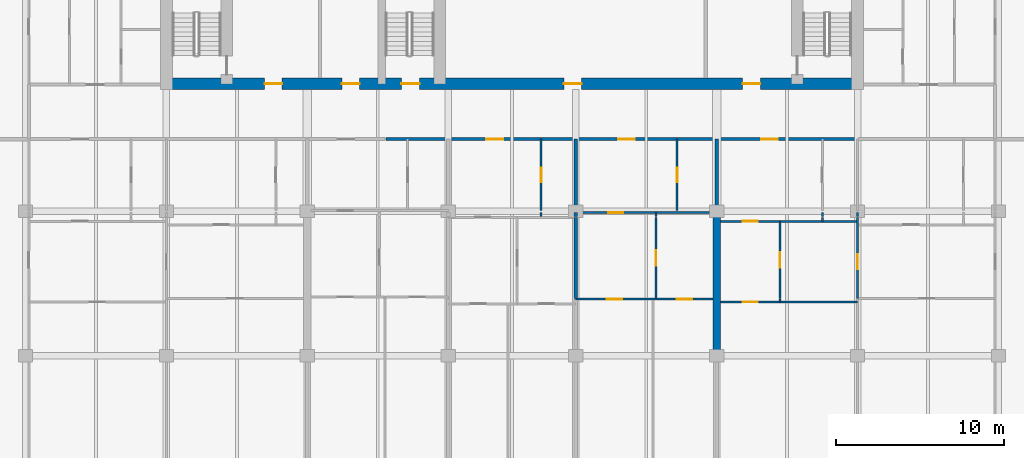
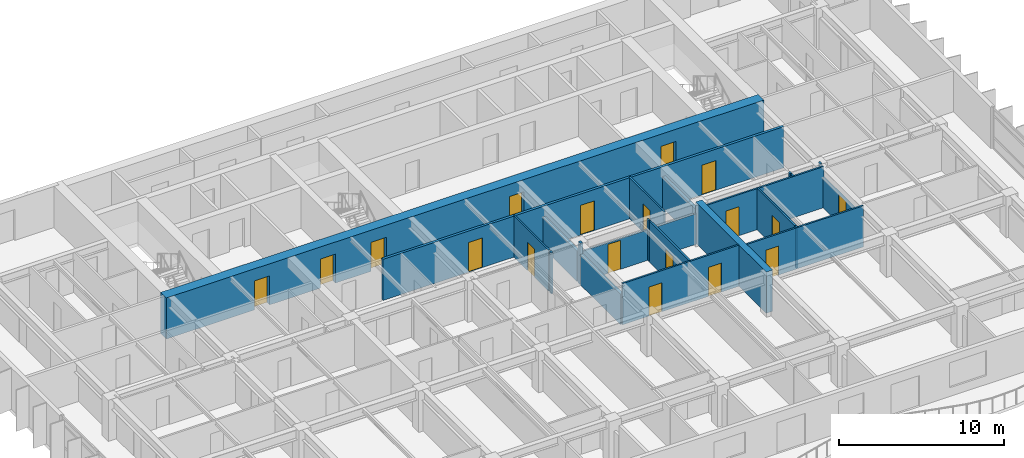
# One storey, part 10 of 18: 22 walls, 18 doors, 18 openings.
"""IFC4 building model written with IfcOpenShell, lengths in metres."""

from ifc_helpers import new_model, si_unit, direction, frame, frame_2d, origin, place, context, subcontext, project, spatial, rectangle, extrude, material, layer, layer_set, type_object, element, fill, save


model = new_model("IFC4")

# Units and contexts
model_context = context("Model", 3, precision=1e-05, world=origin(), true_north=direction((0.0, 1.0)))
body_context = subcontext(model_context, "Body", "Model", "MODEL_VIEW")
ifc_project = project(units=[si_unit("LENGTHUNIT", "METRE"), si_unit("AREAUNIT", "SQUARE_METRE"), si_unit("VOLUMEUNIT", "CUBIC_METRE"), si_unit("PLANEANGLEUNIT", "RADIAN"), si_unit("MASSUNIT", "GRAM", prefix="KILO")], contexts=[model_context])

# Site, building, storey
site_placement = place(None, origin())
site = spatial("IfcSite", under=ifc_project, at=site_placement, CompositionType="ELEMENT")
building_placement = place(site_placement, origin())
building = spatial("IfcBuilding", under=site, at=building_placement, Name="Caelmar Bay Residences", CompositionType="ELEMENT")
storey_placement = place(building_placement, frame((0.0, 0.0, 170.39990234375)))
storey = spatial("IfcBuildingStorey", under=building, at=storey_placement, Name="L47", CompositionType="ELEMENT", Elevation=170.39990234375)

# Wall, openings, doors
ifc_material_1 = material(Name="Concrete f'c 55 MPa (8,000 psi)", Category="concrete")
ifc_layer_1 = layer(ifc_material_1, 0.699951171875)
ifc_layer_set_1 = layer_set([ifc_layer_1], Name="Concrete f'c 55 MPa (8,000 psi)")
wall_type_1 = type_object("IfcWallType", Name="SW-COR-700", PredefinedType="SHEAR", material=ifc_layer_set_1)
wall_1_placement = place(storey_placement, frame((17.949951171875, 37.0, 0.0), z_axis=(0.0, 0.0, 1.0), x_axis=(1.0, 0.0, 0.0)))
wall_1 = element("IfcWall", 1, at=wall_1_placement, inside=storey, type_object=wall_type_1, Name="L47 Rear Core South Shear Wall", PredefinedType="SHEAR", context=body_context, shape_type="SweptSolid", body=[
    extrude(rectangle(XDim=41.900146484375, YDim=0.699951171875, at=frame_2d((20.9501953125, 0.0))), origin(), (0.0, 0.0, 1.0), 3.050048828125),
])
opening_1_placement = place(wall_1_placement, frame((14.35009765625, 0.0, 0.0)))
opening_1 = element("IfcOpeningElement", 2, at=opening_1_placement, cuts=wall_1, Name="Opening D-L47-105", PredefinedType="OPENING", context=body_context, shape_type="SweptSolid", body=[
    extrude(rectangle(XDim=1.10009765625, YDim=2.14990234375, at=frame_2d((0.550048828125, 1.074951171875))), frame((0.0, 0.35986328125, 0.0), z_axis=(0.0, -1.0, 0.0), x_axis=(1.0, 0.0, 0.0)), (0.0, 0.0, 1.0), 0.719970703125),
])
opening_2_placement = place(wall_1_placement, frame((6.199951171875, 0.0, 0.0)))
opening_2 = element("IfcOpeningElement", 3, at=opening_2_placement, cuts=wall_1, Name="Opening D-L47-106", PredefinedType="OPENING", context=body_context, shape_type="SweptSolid", body=[
    extrude(rectangle(XDim=1.050048828125, YDim=2.14990234375, at=frame_2d((0.52490234375, 1.074951171875))), frame((0.0, 0.35986328125, 0.0), z_axis=(0.0, -1.0, 0.0), x_axis=(1.0, 0.0, 0.0)), (0.0, 0.0, 1.0), 0.719970703125),
])
opening_3_placement = place(wall_1_placement, frame((34.699951171875, 0.0, 0.0)))
opening_3 = element("IfcOpeningElement", 4, at=opening_3_placement, cuts=wall_1, Name="Opening D-L47-109", PredefinedType="OPENING", context=body_context, shape_type="SweptSolid", body=[
    extrude(rectangle(XDim=1.050048828125, YDim=2.14990234375, at=frame_2d((0.52490234375, 1.074951171875))), frame((0.0, 0.35986328125, 0.0), z_axis=(0.0, -1.0, 0.0), x_axis=(1.0, 0.0, 0.0)), (0.0, 0.0, 1.0), 0.719970703125),
])
opening_4_placement = place(wall_1_placement, frame((10.8125, 0.0, 0.0)))
opening_4 = element("IfcOpeningElement", 5, at=opening_4_placement, cuts=wall_1, Name="Opening D-L47-112", PredefinedType="OPENING", context=body_context, shape_type="SweptSolid", body=[
    extrude(rectangle(XDim=1.050048828125, YDim=2.14990234375, at=frame_2d((0.52490234375, 1.074951171875))), frame((0.0, 0.35986328125, 0.0), z_axis=(0.0, -1.0, 0.0), x_axis=(1.0, 0.0, 0.0)), (0.0, 0.0, 1.0), 0.719970703125),
])
opening_5_placement = place(wall_1_placement, frame((24.050048828125, 0.0, 0.0)))
opening_5 = element("IfcOpeningElement", 6, at=opening_5_placement, cuts=wall_1, Name="Opening D-L47-113", PredefinedType="OPENING", context=body_context, shape_type="SweptSolid", body=[
    extrude(rectangle(XDim=1.050048828125, YDim=2.14990234375, at=frame_2d((0.52490234375, 1.074951171875))), frame((0.0, 0.35986328125, 0.0), z_axis=(0.0, -1.0, 0.0), x_axis=(1.0, 0.0, 0.0)), (0.0, 0.0, 1.0), 0.719970703125),
])
ifc_material_2 = material(Name="Fire-rated steel and walnut architectural door assembly", Category="steel")
ifc_layer_2 = layer(ifc_material_2, 0.050048828125)
ifc_layer_set_2 = layer_set([ifc_layer_2], Name="Fire-rated steel and walnut architectural door assembly")
door_type_1 = type_object("IfcDoorType", Name="D-FSAE-1050", OperationType="NOTDEFINED", PredefinedType="DOOR", material=ifc_layer_set_2)
door_1_placement = place(opening_2_placement, origin())
door_1 = element("IfcDoor", 7, at=door_1_placement, inside=storey, type_object=door_type_1, Name="L47 Firefighting Lobby West Door", OperationType="SINGLE_SWING_LEFT", OverallHeight=2.14990234375, OverallWidth=1.050048828125, PredefinedType="DOOR", context=body_context, shape_type="SweptSolid", body=[
    extrude(rectangle(XDim=1.050048828125, YDim=2.14990234375, at=frame_2d((0.52490234375, 1.074951171875))), frame((0.0, 0.02490234375, 0.0), z_axis=(0.0, -1.0, 0.0), x_axis=(1.0, 0.0, 0.0)), (0.0, 0.0, 1.0), 0.050048828125),
])
fill(opening_2, door_1)
door_2_placement = place(opening_3_placement, origin())
door_2 = element("IfcDoor", 8, at=door_2_placement, inside=storey, type_object=door_type_1, Name="L47 Firefighting Lobby East Door", OperationType="SINGLE_SWING_RIGHT", OverallHeight=2.14990234375, OverallWidth=1.050048828125, PredefinedType="DOOR", context=body_context, shape_type="SweptSolid", body=[
    extrude(rectangle(XDim=1.050048828125, YDim=2.14990234375, at=frame_2d((0.52490234375, 1.074951171875))), frame((0.0, 0.02490234375, 0.0), z_axis=(0.0, -1.0, 0.0), x_axis=(1.0, 0.0, 0.0)), (0.0, 0.0, 1.0), 0.050048828125),
])
fill(opening_3, door_2)
door_3_placement = place(opening_4_placement, origin())
door_3 = element("IfcDoor", 9, at=door_3_placement, inside=storey, type_object=door_type_1, Name="L47 West Lift Lobby Door", OperationType="SINGLE_SWING_LEFT", OverallHeight=2.14990234375, OverallWidth=1.050048828125, PredefinedType="DOOR", context=body_context, shape_type="SweptSolid", body=[
    extrude(rectangle(XDim=1.050048828125, YDim=2.14990234375, at=frame_2d((0.52490234375, 1.074951171875))), frame((0.0, 0.02490234375, 0.0), z_axis=(0.0, -1.0, 0.0), x_axis=(1.0, 0.0, 0.0)), (0.0, 0.0, 1.0), 0.050048828125),
])
fill(opening_4, door_3)
door_4_placement = place(opening_5_placement, origin())
door_4 = element("IfcDoor", 10, at=door_4_placement, inside=storey, type_object=door_type_1, Name="L47 Passenger Lift Lobby Door", OperationType="SINGLE_SWING_RIGHT", OverallHeight=2.14990234375, OverallWidth=1.050048828125, PredefinedType="DOOR", context=body_context, shape_type="SweptSolid", body=[
    extrude(rectangle(XDim=1.050048828125, YDim=2.14990234375, at=frame_2d((0.52490234375, 1.074951171875))), frame((0.0, 0.02490234375, 0.0), z_axis=(0.0, -1.0, 0.0), x_axis=(1.0, 0.0, 0.0)), (0.0, 0.0, 1.0), 0.050048828125),
])
fill(opening_5, door_4)
ifc_layer_3 = layer(ifc_material_2, 0.050048828125)
ifc_layer_set_3 = layer_set([ifc_layer_3], Name="Fire-rated steel and walnut architectural door assembly")
door_type_2 = type_object("IfcDoorType", Name="D-STAIR-1100", OperationType="NOTDEFINED", PredefinedType="DOOR", material=ifc_layer_set_3)
door_5_placement = place(opening_1_placement, origin())
door_5 = element("IfcDoor", 11, at=door_5_placement, inside=storey, type_object=door_type_2, Name="L47 Exit Stair ST3 Door", OperationType="SINGLE_SWING_RIGHT", OverallHeight=2.14990234375, OverallWidth=1.10009765625, PredefinedType="DOOR", context=body_context, shape_type="SweptSolid", body=[
    extrude(rectangle(XDim=1.10009765625, YDim=2.14990234375, at=frame_2d((0.550048828125, 1.074951171875))), frame((0.0, 0.02490234375, 0.0), z_axis=(0.0, -1.0, 0.0), x_axis=(1.0, 0.0, 0.0)), (0.0, 0.0, 1.0), 0.050048828125),
])
fill(opening_1, door_5)

# Wall
ifc_layer_4 = layer(ifc_material_1, 0.449951171875)
ifc_layer_set_4 = layer_set([ifc_layer_4], Name="Concrete f'c 55 MPa (8,000 psi)")
wall_type_2 = type_object("IfcWallType", Name="SW-XSLB-450", PredefinedType="SHEAR", material=ifc_layer_set_4)
wall_2_placement = place(storey_placement, frame((51.10009765625, 20.800048828125, 0.0), z_axis=(0.0, 0.0, 1.0), x_axis=(0.0, 1.0, 0.0)))
element("IfcWall", 12, at=wall_2_placement, inside=storey, type_object=wall_type_2, Name="L47 Transverse Cross-Slab Shear Wall E8", PredefinedType="SHEAR", context=body_context, shape_type="SweptSolid", body=[
    extrude(rectangle(XDim=8.599853515625, YDim=0.449951171875, at=frame_2d((4.2998046875, 0.0))), origin(), (0.0, 0.0, 1.0), 3.050048828125),
])

# Wall, openings, doors
ifc_material_3 = material(Name="Double-stud acoustic fire-rated gypsum partition 180 mm")
ifc_layer_5 = layer(ifc_material_3, 0.179931640625)
ifc_layer_set_5 = layer_set([ifc_layer_5], Name="Double-stud acoustic fire-rated gypsum partition 180 mm")
wall_type_3 = type_object("IfcWallType", Name="W-COR-200", PredefinedType="PARTITIONING", material=ifc_layer_set_5)
wall_3_placement = place(storey_placement, frame((31.39990234375, 33.699951171875, 0.0), z_axis=(0.0, 0.0, 1.0), x_axis=(1.0, 0.0, 0.0)))
wall_3 = element("IfcWall", 13, at=wall_3_placement, inside=storey, type_object=wall_type_3, Name="L47 Partition Wall H117", PredefinedType="PARTITIONING", context=body_context, shape_type="SweptSolid", body=[
    extrude(rectangle(XDim=28.10009765625, YDim=0.179931640625, at=frame_2d((14.050048828125, 0.0))), origin(), (0.0, 0.0, 1.0), 3.050048828125),
])
opening_6_placement = place(wall_3_placement, frame((5.969970703125, 0.0, 0.0)))
opening_6 = element("IfcOpeningElement", 14, at=opening_6_placement, cuts=wall_3, Name="Opening D-L47-139", PredefinedType="OPENING", context=body_context, shape_type="SweptSolid", body=[
    extrude(rectangle(XDim=1.0, YDim=2.199951171875, at=frame_2d((0.5, 1.10009765625))), frame((0.0, 0.099853515625, 0.0), z_axis=(0.0, -1.0, 0.0), x_axis=(1.0, 0.0, 0.0)), (0.0, 0.0, 1.0), 0.199951171875),
])
opening_7_placement = place(wall_3_placement, frame((13.823974609375, 0.0, 0.0)))
opening_7 = element("IfcOpeningElement", 15, at=opening_7_placement, cuts=wall_3, Name="Opening D-L47-146", PredefinedType="OPENING", context=body_context, shape_type="SweptSolid", body=[
    extrude(rectangle(XDim=1.0, YDim=2.199951171875, at=frame_2d((0.5, 1.10009765625))), frame((0.0, 0.099853515625, 0.0), z_axis=(0.0, -1.0, 0.0), x_axis=(1.0, 0.0, 0.0)), (0.0, 0.0, 1.0), 0.199951171875),
])
opening_8_placement = place(wall_3_placement, frame((22.34912109375, 0.0, 0.0)))
opening_8 = element("IfcOpeningElement", 16, at=opening_8_placement, cuts=wall_3, Name="Opening D-L47-153", PredefinedType="OPENING", context=body_context, shape_type="SweptSolid", body=[
    extrude(rectangle(XDim=1.0, YDim=2.199951171875, at=frame_2d((0.5, 1.10009765625))), frame((0.0, 0.099853515625, 0.0), z_axis=(0.0, -1.0, 0.0), x_axis=(1.0, 0.0, 0.0)), (0.0, 0.0, 1.0), 0.199951171875),
])
ifc_layer_6 = layer(ifc_material_2, 0.050048828125)
ifc_layer_set_6 = layer_set([ifc_layer_6], Name="Fire-rated steel and walnut architectural door assembly")
door_type_3 = type_object("IfcDoorType", Name="D-UNIT-1000", OperationType="NOTDEFINED", PredefinedType="DOOR", material=ifc_layer_set_6)
door_6_placement = place(opening_6_placement, origin())
door_6 = element("IfcDoor", 17, at=door_6_placement, inside=storey, type_object=door_type_3, Name="L47 Residence 03 Apartment Hall Door", OperationType="SINGLE_SWING_RIGHT", OverallHeight=2.199951171875, OverallWidth=1.0, PredefinedType="DOOR", context=body_context, shape_type="SweptSolid", body=[
    extrude(rectangle(XDim=1.0, YDim=2.199951171875, at=frame_2d((0.5, 1.10009765625))), frame((0.0, 0.02490234375, 0.0), z_axis=(0.0, -1.0, 0.0), x_axis=(1.0, 0.0, 0.0)), (0.0, 0.0, 1.0), 0.050048828125),
])
fill(opening_6, door_6)
door_7_placement = place(opening_7_placement, origin())
door_7 = element("IfcDoor", 18, at=door_7_placement, inside=storey, type_object=door_type_3, Name="L47 Residence 04 Apartment Hall Door", OperationType="SINGLE_SWING_LEFT", OverallHeight=2.199951171875, OverallWidth=1.0, PredefinedType="DOOR", context=body_context, shape_type="SweptSolid", body=[
    extrude(rectangle(XDim=1.0, YDim=2.199951171875, at=frame_2d((0.5, 1.10009765625))), frame((0.0, 0.02490234375, 0.0), z_axis=(0.0, -1.0, 0.0), x_axis=(1.0, 0.0, 0.0)), (0.0, 0.0, 1.0), 0.050048828125),
])
fill(opening_7, door_7)
door_8_placement = place(opening_8_placement, origin())
door_8 = element("IfcDoor", 19, at=door_8_placement, inside=storey, type_object=door_type_3, Name="L47 Residence 05 Apartment Hall Door", OperationType="SINGLE_SWING_RIGHT", OverallHeight=2.199951171875, OverallWidth=1.0, PredefinedType="DOOR", context=body_context, shape_type="SweptSolid", body=[
    extrude(rectangle(XDim=1.0, YDim=2.199951171875, at=frame_2d((0.5, 1.10009765625))), frame((0.0, 0.02490234375, 0.0), z_axis=(0.0, -1.0, 0.0), x_axis=(1.0, 0.0, 0.0)), (0.0, 0.0, 1.0), 0.050048828125),
])
fill(opening_8, door_8)

# Wall
ifc_material_4 = material(Name="Acoustic metal-stud gypsum partition 120 mm")
ifc_layer_7 = layer(ifc_material_4, 0.1201171875)
ifc_layer_set_7 = layer_set([ifc_layer_7], Name="Acoustic metal-stud gypsum partition 120 mm")
wall_type_4 = type_object("IfcWallType", Name="W-PRT-120", PredefinedType="PARTITIONING", material=ifc_layer_set_7)
wall_4_placement = place(storey_placement, frame((40.639892578125, 29.10009765625, 0.0), z_axis=(0.0, 0.0, 1.0), x_axis=(0.0, 1.0, 0.0)))
element("IfcWall", 20, at=wall_4_placement, inside=storey, type_object=wall_type_4, Name="L47 Partition Wall V046", PredefinedType="PARTITIONING", context=body_context, shape_type="SweptSolid", body=[
    extrude(rectangle(XDim=0.219970703125, YDim=0.1201171875, at=frame_2d((0.10986328125, 0.0))), origin(), (0.0, 0.0, 1.0), 3.050048828125),
])

# Wall, opening, door
wall_5_placement = place(storey_placement, frame((40.639892578125, 29.43994140625, 0.0), z_axis=(0.0, 0.0, 1.0), x_axis=(0.0, 1.0, 0.0)))
wall_5 = element("IfcWall", 21, at=wall_5_placement, inside=storey, type_object=wall_type_4, Name="L47 Partition Wall V047", PredefinedType="PARTITIONING", context=body_context, shape_type="SweptSolid", body=[
    extrude(rectangle(XDim=4.260009765625, YDim=0.1201171875, at=frame_2d((2.1298828125, 0.0))), origin(), (0.0, 0.0, 1.0), 3.050048828125),
])
opening_9_placement = place(wall_5_placement, frame((1.705078125, 0.0, 0.0)))
opening_9 = element("IfcOpeningElement", 22, at=opening_9_placement, cuts=wall_5, Name="Opening D-L47-140", PredefinedType="OPENING", context=body_context, shape_type="SweptSolid", body=[
    extrude(rectangle(XDim=0.85009765625, YDim=2.10009765625, at=frame_2d((0.425048828125, 1.050048828125))), frame((0.0, 0.070068359375, 0.0), z_axis=(0.0, -1.0, 0.0), x_axis=(1.0, 0.0, 0.0)), (0.0, 0.0, 1.0), 0.14013671875),
])
ifc_material_5 = material(Name="Solid walnut timber interior door leaf and frame", Category="wood")
ifc_layer_8 = layer(ifc_material_5, 0.050048828125)
ifc_layer_set_8 = layer_set([ifc_layer_8], Name="Solid walnut timber interior door leaf and frame")
door_type_4 = type_object("IfcDoorType", Name="D-BATH-850", OperationType="NOTDEFINED", PredefinedType="DOOR", material=ifc_layer_set_8)
door_9_placement = place(opening_9_placement, origin())
door_9 = element("IfcDoor", 23, at=door_9_placement, inside=storey, type_object=door_type_4, Name="L47 Residence 03 Bathroom Door", OperationType="SINGLE_SWING_LEFT", OverallHeight=2.10009765625, OverallWidth=0.85009765625, PredefinedType="DOOR", context=body_context, shape_type="SweptSolid", body=[
    extrude(rectangle(XDim=0.85009765625, YDim=2.10009765625, at=frame_2d((0.425048828125, 1.050048828125))), frame((0.0, 0.02490234375, 0.0), z_axis=(0.0, -1.0, 0.0), x_axis=(1.0, 0.0, 0.0)), (0.0, 0.0, 1.0), 0.050048828125),
])
fill(opening_9, door_9)

wall_6_placement = place(storey_placement, frame((47.486083984375, 24.199951171875, 0.0), z_axis=(0.0, 0.0, 1.0), x_axis=(0.0, 1.0, 0.0)))
wall_6 = element("IfcWall", 24, at=wall_6_placement, inside=storey, type_object=wall_type_4, Name="L47 Partition Wall V058", PredefinedType="PARTITIONING", context=body_context, shape_type="SweptSolid", body=[
    extrude(rectangle(XDim=4.840087890625, YDim=0.1201171875, at=frame_2d((2.419921875, 0.0))), origin(), (0.0, 0.0, 1.0), 3.050048828125),
])
opening_10_placement = place(wall_6_placement, frame((1.969970703125, 0.0, 0.0)))
opening_10 = element("IfcOpeningElement", 25, at=opening_10_placement, cuts=wall_6, Name="Opening D-L47-149", PredefinedType="OPENING", context=body_context, shape_type="SweptSolid", body=[
    extrude(rectangle(XDim=0.89990234375, YDim=2.14990234375, at=frame_2d((0.449951171875, 1.074951171875))), frame((0.0, 0.070068359375, 0.0), z_axis=(0.0, -1.0, 0.0), x_axis=(1.0, 0.0, 0.0)), (0.0, 0.0, 1.0), 0.14013671875),
])
ifc_layer_9 = layer(ifc_material_5, 0.050048828125)
ifc_layer_set_9 = layer_set([ifc_layer_9], Name="Solid walnut timber interior door leaf and frame")
door_type_5 = type_object("IfcDoorType", Name="D-ROOM-900", OperationType="NOTDEFINED", PredefinedType="DOOR", material=ifc_layer_set_9)
door_10_placement = place(opening_10_placement, origin())
door_10 = element("IfcDoor", 26, at=door_10_placement, inside=storey, type_object=door_type_5, Name="L47 Residence 04 Home Office Door", OperationType="SINGLE_SWING_RIGHT", OverallHeight=2.14990234375, OverallWidth=0.89990234375, PredefinedType="DOOR", context=body_context, shape_type="SweptSolid", body=[
    extrude(rectangle(XDim=0.89990234375, YDim=2.14990234375, at=frame_2d((0.449951171875, 1.074951171875))), frame((0.0, 0.02490234375, 0.0), z_axis=(0.0, -1.0, 0.0), x_axis=(1.0, 0.0, 0.0)), (0.0, 0.0, 1.0), 0.050048828125),
])
fill(opening_10, door_10)

# Wall
wall_7_placement = place(storey_placement, frame((47.486083984375, 29.10009765625, 0.0), z_axis=(0.0, 0.0, 1.0), x_axis=(0.0, 1.0, 0.0)))
element("IfcWall", 27, at=wall_7_placement, inside=storey, type_object=wall_type_4, Name="L47 Partition Wall V059", PredefinedType="PARTITIONING", context=body_context, shape_type="SweptSolid", body=[
    extrude(rectangle(XDim=0.219970703125, YDim=0.1201171875, at=frame_2d((0.10986328125, 0.0))), origin(), (0.0, 0.0, 1.0), 3.050048828125),
])

# Wall, opening, door
wall_8_placement = place(storey_placement, frame((48.748046875, 29.43994140625, 0.0), z_axis=(0.0, 0.0, 1.0), x_axis=(0.0, 1.0, 0.0)))
wall_8 = element("IfcWall", 28, at=wall_8_placement, inside=storey, type_object=wall_type_4, Name="L47 Partition Wall V061", PredefinedType="PARTITIONING", context=body_context, shape_type="SweptSolid", body=[
    extrude(rectangle(XDim=4.260009765625, YDim=0.1201171875, at=frame_2d((2.1298828125, 0.0))), origin(), (0.0, 0.0, 1.0), 3.050048828125),
])
opening_11_placement = place(wall_8_placement, frame((1.705078125, 0.0, 0.0)))
opening_11 = element("IfcOpeningElement", 29, at=opening_11_placement, cuts=wall_8, Name="Opening D-L47-147", PredefinedType="OPENING", context=body_context, shape_type="SweptSolid", body=[
    extrude(rectangle(XDim=0.85009765625, YDim=2.10009765625, at=frame_2d((0.425048828125, 1.050048828125))), frame((0.0, 0.070068359375, 0.0), z_axis=(0.0, -1.0, 0.0), x_axis=(1.0, 0.0, 0.0)), (0.0, 0.0, 1.0), 0.14013671875),
])
door_11_placement = place(opening_11_placement, origin())
door_11 = element("IfcDoor", 30, at=door_11_placement, inside=storey, type_object=door_type_4, Name="L47 Residence 04 Bathroom Door", OperationType="SINGLE_SWING_RIGHT", OverallHeight=2.10009765625, OverallWidth=0.85009765625, PredefinedType="DOOR", context=body_context, shape_type="SweptSolid", body=[
    extrude(rectangle(XDim=0.85009765625, YDim=2.10009765625, at=frame_2d((0.425048828125, 1.050048828125))), frame((0.0, 0.02490234375, 0.0), z_axis=(0.0, -1.0, 0.0), x_axis=(1.0, 0.0, 0.0)), (0.0, 0.0, 1.0), 0.050048828125),
])
fill(opening_11, door_11)

# Wall
wall_9_placement = place(storey_placement, frame((54.8798828125, 24.0, 0.0), z_axis=(0.0, 0.0, 1.0), x_axis=(0.0, 1.0, 0.0)))
element("IfcWall", 31, at=wall_9_placement, inside=storey, type_object=wall_type_4, Name="L47 Partition Wall V069", PredefinedType="PARTITIONING", context=body_context, shape_type="SweptSolid", body=[
    extrude(rectangle(XDim=0.169921875, YDim=0.1201171875, at=frame_2d((0.0849609375, 0.0))), origin(), (0.0, 0.0, 1.0), 3.050048828125),
])

# Wall, opening, door
wall_10_placement = place(storey_placement, frame((54.8798828125, 24.199951171875, 0.0), z_axis=(0.0, 0.0, 1.0), x_axis=(0.0, 1.0, 0.0)))
wall_10 = element("IfcWall", 32, at=wall_10_placement, inside=storey, type_object=wall_type_4, Name="L47 Partition Wall V070", PredefinedType="PARTITIONING", context=body_context, shape_type="SweptSolid", body=[
    extrude(rectangle(XDim=4.60009765625, YDim=0.1201171875, at=frame_2d((2.300048828125, 0.0))), origin(), (0.0, 0.0, 1.0), 3.050048828125),
])
opening_12_placement = place(wall_10_placement, frame((1.85009765625, 0.0, 0.0)))
opening_12 = element("IfcOpeningElement", 33, at=opening_12_placement, cuts=wall_10, Name="Opening D-L47-156", PredefinedType="OPENING", context=body_context, shape_type="SweptSolid", body=[
    extrude(rectangle(XDim=0.89990234375, YDim=2.14990234375, at=frame_2d((0.449951171875, 1.074951171875))), frame((0.0, 0.070068359375, 0.0), z_axis=(0.0, -1.0, 0.0), x_axis=(1.0, 0.0, 0.0)), (0.0, 0.0, 1.0), 0.14013671875),
])
door_12_placement = place(opening_12_placement, origin())
door_12 = element("IfcDoor", 34, at=door_12_placement, inside=storey, type_object=door_type_5, Name="L47 Residence 05 Kitchen Door", OperationType="SINGLE_SWING_LEFT", OverallHeight=2.14990234375, OverallWidth=0.89990234375, PredefinedType="DOOR", context=body_context, shape_type="SweptSolid", body=[
    extrude(rectangle(XDim=0.89990234375, YDim=2.14990234375, at=frame_2d((0.449951171875, 1.074951171875))), frame((0.0, 0.02490234375, 0.0), z_axis=(0.0, -1.0, 0.0), x_axis=(1.0, 0.0, 0.0)), (0.0, 0.0, 1.0), 0.050048828125),
])
fill(opening_12, door_12)

# Walls
wall_11_placement = place(storey_placement, frame((57.39794921875, 28.800048828125, 0.0), z_axis=(0.0, 0.0, 1.0), x_axis=(0.0, 1.0, 0.0)))
element("IfcWall", 35, at=wall_11_placement, inside=storey, type_object=wall_type_4, Name="L47 Partition Wall V072", PredefinedType="PARTITIONING", context=body_context, shape_type="SweptSolid", body=[
    extrude(rectangle(XDim=0.239990234375, YDim=0.1201171875, at=frame_2d((0.1201171875, 0.0))), origin(), (0.0, 0.0, 1.0), 3.050048828125),
])
wall_12_placement = place(storey_placement, frame((57.39794921875, 29.10009765625, 0.0), z_axis=(0.0, 0.0, 1.0), x_axis=(0.0, 1.0, 0.0)))
element("IfcWall", 36, at=wall_12_placement, inside=storey, type_object=wall_type_4, Name="L47 Partition Wall V073", PredefinedType="PARTITIONING", context=body_context, shape_type="SweptSolid", body=[
    extrude(rectangle(XDim=0.219970703125, YDim=0.1201171875, at=frame_2d((0.10986328125, 0.0))), origin(), (0.0, 0.0, 1.0), 3.050048828125),
])

# Wall, opening, door
wall_13_placement = place(storey_placement, frame((59.5, 24.199951171875, 0.0), z_axis=(0.0, 0.0, 1.0), x_axis=(0.0, 1.0, 0.0)))
wall_13 = element("IfcWall", 37, at=wall_13_placement, inside=storey, type_object=wall_type_4, Name="L47 Partition Wall V077", PredefinedType="PARTITIONING", context=body_context, shape_type="SweptSolid", body=[
    extrude(rectangle(XDim=4.840087890625, YDim=0.1201171875, at=frame_2d((2.419921875, 0.0))), origin(), (0.0, 0.0, 1.0), 2.26318359375),
])
opening_13_placement = place(wall_13_placement, frame((1.75, 0.0, 0.0)))
opening_13 = element("IfcOpeningElement", 38, at=opening_13_placement, cuts=wall_13, Name="Opening D-L47-158", PredefinedType="OPENING", context=body_context, shape_type="SweptSolid", body=[
    extrude(rectangle(XDim=0.89990234375, YDim=2.14990234375, at=frame_2d((0.449951171875, 1.074951171875))), frame((0.0, 0.070068359375, 0.0), z_axis=(0.0, -1.0, 0.0), x_axis=(1.0, 0.0, 0.0)), (0.0, 0.0, 1.0), 0.14013671875),
])
door_13_placement = place(opening_13_placement, origin())
door_13 = element("IfcDoor", 39, at=door_13_placement, inside=storey, type_object=door_type_5, Name="L47 Residence 05 Library Study 1 Door", OperationType="SINGLE_SWING_LEFT", OverallHeight=2.14990234375, OverallWidth=0.89990234375, PredefinedType="DOOR", context=body_context, shape_type="SweptSolid", body=[
    extrude(rectangle(XDim=0.89990234375, YDim=2.14990234375, at=frame_2d((0.449951171875, 1.074951171875))), frame((0.0, 0.02490234375, 0.0), z_axis=(0.0, -1.0, 0.0), x_axis=(1.0, 0.0, 0.0)), (0.0, 0.0, 1.0), 0.050048828125),
])
fill(opening_13, door_13)

# Wall
wall_14_placement = place(storey_placement, frame((59.5, 29.10009765625, 0.0), z_axis=(0.0, 0.0, 1.0), x_axis=(0.0, 1.0, 0.0)))
element("IfcWall", 40, at=wall_14_placement, inside=storey, type_object=wall_type_4, Name="L47 Partition Wall V078", PredefinedType="PARTITIONING", context=body_context, shape_type="SweptSolid", body=[
    extrude(rectangle(XDim=0.219970703125, YDim=0.1201171875, at=frame_2d((0.10986328125, 0.0))), origin(), (0.0, 0.0, 1.0), 3.050048828125),
])

# Wall, opening, door
wall_15_placement = place(storey_placement, frame((51.320068359375, 24.0, 0.0), z_axis=(0.0, 0.0, 1.0), x_axis=(1.0, 0.0, 0.0)))
wall_15 = element("IfcWall", 41, at=wall_15_placement, inside=storey, type_object=wall_type_4, Name="L47 Partition Wall H099", PredefinedType="PARTITIONING", context=body_context, shape_type="SweptSolid", body=[
    extrude(rectangle(XDim=8.179931640625, YDim=0.1201171875, at=frame_2d((4.08984375, 0.0))), origin(), (0.0, 0.0, 1.0), 3.050048828125),
])
opening_14_placement = place(wall_15_placement, frame((1.330078125, 0.0, 0.0)))
opening_14 = element("IfcOpeningElement", 42, at=opening_14_placement, cuts=wall_15, Name="Opening D-L47-157", PredefinedType="OPENING", context=body_context, shape_type="SweptSolid", body=[
    extrude(rectangle(XDim=0.89990234375, YDim=2.14990234375, at=frame_2d((0.449951171875, 1.074951171875))), frame((0.0, 0.070068359375, 0.0), z_axis=(0.0, -1.0, 0.0), x_axis=(1.0, 0.0, 0.0)), (0.0, 0.0, 1.0), 0.14013671875),
])
door_14_placement = place(opening_14_placement, origin())
door_14 = element("IfcDoor", 43, at=door_14_placement, inside=storey, type_object=door_type_5, Name="L47 Residence 05 Penthouse Living Salon Door", OperationType="SINGLE_SWING_RIGHT", OverallHeight=2.14990234375, OverallWidth=0.89990234375, PredefinedType="DOOR", context=body_context, shape_type="SweptSolid", body=[
    extrude(rectangle(XDim=0.89990234375, YDim=2.14990234375, at=frame_2d((0.449951171875, 1.074951171875))), frame((0.0, 0.02490234375, 0.0), z_axis=(0.0, -1.0, 0.0), x_axis=(1.0, 0.0, 0.0)), (0.0, 0.0, 1.0), 0.050048828125),
])
fill(opening_14, door_14)

# Wall, openings, doors
wall_16_placement = place(storey_placement, frame((42.699951171875, 24.169921875, 0.0), z_axis=(0.0, 0.0, 1.0), x_axis=(1.0, 0.0, 0.0)))
wall_16 = element("IfcWall", 44, at=wall_16_placement, inside=storey, type_object=wall_type_4, Name="L47 Partition Wall H100", PredefinedType="PARTITIONING", context=body_context, shape_type="SweptSolid", body=[
    extrude(rectangle(XDim=8.179931640625, YDim=0.1201171875, at=frame_2d((4.08984375, 0.0))), origin(), (0.0, 0.0, 1.0), 3.050048828125),
])
opening_15_placement = place(wall_16_placement, frame((1.860107421875, 0.0, 0.0)))
opening_15 = element("IfcOpeningElement", 45, at=opening_15_placement, cuts=wall_16, Name="Opening D-L47-150", PredefinedType="OPENING", context=body_context, shape_type="SweptSolid", body=[
    extrude(rectangle(XDim=0.89990234375, YDim=2.14990234375, at=frame_2d((0.449951171875, 1.074951171875))), frame((0.0, 0.070068359375, 0.0), z_axis=(0.0, -1.0, 0.0), x_axis=(1.0, 0.0, 0.0)), (0.0, 0.0, 1.0), 0.14013671875),
])
opening_16_placement = place(wall_16_placement, frame((6.032958984375, 0.0, 0.0)))
opening_16 = element("IfcOpeningElement", 46, at=opening_16_placement, cuts=wall_16, Name="Opening D-L47-151", PredefinedType="OPENING", context=body_context, shape_type="SweptSolid", body=[
    extrude(rectangle(XDim=0.89990234375, YDim=2.14990234375, at=frame_2d((0.449951171875, 1.074951171875))), frame((0.0, 0.070068359375, 0.0), z_axis=(0.0, -1.0, 0.0), x_axis=(1.0, 0.0, 0.0)), (0.0, 0.0, 1.0), 0.14013671875),
])
door_15_placement = place(opening_15_placement, origin())
door_15 = element("IfcDoor", 47, at=door_15_placement, inside=storey, type_object=door_type_5, Name="L47 Residence 04 Living Room Door", OperationType="SINGLE_SWING_LEFT", OverallHeight=2.14990234375, OverallWidth=0.89990234375, PredefinedType="DOOR", context=body_context, shape_type="SweptSolid", body=[
    extrude(rectangle(XDim=0.89990234375, YDim=2.14990234375, at=frame_2d((0.449951171875, 1.074951171875))), frame((0.0, 0.02490234375, 0.0), z_axis=(0.0, -1.0, 0.0), x_axis=(1.0, 0.0, 0.0)), (0.0, 0.0, 1.0), 0.050048828125),
])
fill(opening_15, door_15)
door_16_placement = place(opening_16_placement, origin())
door_16 = element("IfcDoor", 48, at=door_16_placement, inside=storey, type_object=door_type_5, Name="L47 Residence 04 Penthouse Sitting Room Door", OperationType="SINGLE_SWING_RIGHT", OverallHeight=2.14990234375, OverallWidth=0.89990234375, PredefinedType="DOOR", context=body_context, shape_type="SweptSolid", body=[
    extrude(rectangle(XDim=0.89990234375, YDim=2.14990234375, at=frame_2d((0.449951171875, 1.074951171875))), frame((0.0, 0.02490234375, 0.0), z_axis=(0.0, -1.0, 0.0), x_axis=(1.0, 0.0, 0.0)), (0.0, 0.0, 1.0), 0.050048828125),
])
fill(opening_16, door_16)

# Wall, opening, door
wall_17_placement = place(storey_placement, frame((51.320068359375, 28.800048828125, 0.0), z_axis=(0.0, 0.0, 1.0), x_axis=(1.0, 0.0, 0.0)))
wall_17 = element("IfcWall", 49, at=wall_17_placement, inside=storey, type_object=wall_type_4, Name="L47 Partition Wall H108", PredefinedType="PARTITIONING", context=body_context, shape_type="SweptSolid", body=[
    extrude(rectangle(XDim=8.179931640625, YDim=0.1201171875, at=frame_2d((4.08984375, 0.0))), origin(), (0.0, 0.0, 1.0), 3.050048828125),
])
opening_17_placement = place(wall_17_placement, frame((1.330078125, 0.0, 0.0)))
opening_17 = element("IfcOpeningElement", 50, at=opening_17_placement, cuts=wall_17, Name="Opening D-L47-155", PredefinedType="OPENING", context=body_context, shape_type="SweptSolid", body=[
    extrude(rectangle(XDim=0.89990234375, YDim=2.14990234375, at=frame_2d((0.449951171875, 1.074951171875))), frame((0.0, 0.070068359375, 0.0), z_axis=(0.0, -1.0, 0.0), x_axis=(1.0, 0.0, 0.0)), (0.0, 0.0, 1.0), 0.14013671875),
])
door_17_placement = place(opening_17_placement, origin())
door_17 = element("IfcDoor", 51, at=door_17_placement, inside=storey, type_object=door_type_5, Name="L47 Residence 05 Dining Room Door", OperationType="SINGLE_SWING_RIGHT", OverallHeight=2.14990234375, OverallWidth=0.89990234375, PredefinedType="DOOR", context=body_context, shape_type="SweptSolid", body=[
    extrude(rectangle(XDim=0.89990234375, YDim=2.14990234375, at=frame_2d((0.449951171875, 1.074951171875))), frame((0.0, 0.02490234375, 0.0), z_axis=(0.0, -1.0, 0.0), x_axis=(1.0, 0.0, 0.0)), (0.0, 0.0, 1.0), 0.050048828125),
])
fill(opening_17, door_17)

wall_18_placement = place(storey_placement, frame((42.699951171875, 29.320068359375, 0.0), z_axis=(0.0, 0.0, 1.0), x_axis=(1.0, 0.0, 0.0)))
wall_18 = element("IfcWall", 52, at=wall_18_placement, inside=storey, type_object=wall_type_4, Name="L47 Partition Wall H110", PredefinedType="PARTITIONING", context=body_context, shape_type="SweptSolid", body=[
    extrude(rectangle(XDim=8.179931640625, YDim=0.1201171875, at=frame_2d((4.08984375, 0.0))), origin(), (0.0, 0.0, 1.0), 2.26318359375),
])
opening_18_placement = place(wall_18_placement, frame((1.943115234375, 0.0, 0.0)))
opening_18 = element("IfcOpeningElement", 53, at=opening_18_placement, cuts=wall_18, Name="Opening D-L47-148", PredefinedType="OPENING", context=body_context, shape_type="SweptSolid", body=[
    extrude(rectangle(XDim=0.89990234375, YDim=2.14990234375, at=frame_2d((0.449951171875, 1.074951171875))), frame((0.0, 0.070068359375, 0.0), z_axis=(0.0, -1.0, 0.0), x_axis=(1.0, 0.0, 0.0)), (0.0, 0.0, 1.0), 0.14013671875),
])
door_18_placement = place(opening_18_placement, origin())
door_18 = element("IfcDoor", 54, at=door_18_placement, inside=storey, type_object=door_type_5, Name="L47 Residence 04 Kitchen Door", OperationType="SINGLE_SWING_LEFT", OverallHeight=2.14990234375, OverallWidth=0.89990234375, PredefinedType="DOOR", context=body_context, shape_type="SweptSolid", body=[
    extrude(rectangle(XDim=0.89990234375, YDim=2.14990234375, at=frame_2d((0.449951171875, 1.074951171875))), frame((0.0, 0.02490234375, 0.0), z_axis=(0.0, -1.0, 0.0), x_axis=(1.0, 0.0, 0.0)), (0.0, 0.0, 1.0), 0.050048828125),
])
fill(opening_18, door_18)

# Walls
ifc_material_6 = material(Name="Acoustic twin-stud fire-rated inter-tenancy partition 200 mm")
ifc_layer_10 = layer(ifc_material_6, 0.199951171875)
ifc_layer_set_10 = layer_set([ifc_layer_10], Name="Acoustic twin-stud fire-rated inter-tenancy partition 200 mm")
wall_type_5 = type_object("IfcWallType", Name="W-PTY-200", PredefinedType="PARTITIONING", material=ifc_layer_set_10)
wall_19_placement = place(storey_placement, frame((42.699951171875, 24.199951171875, 0.0), z_axis=(0.0, 0.0, 1.0), x_axis=(0.0, 1.0, 0.0)))
element("IfcWall", 55, at=wall_19_placement, inside=storey, type_object=wall_type_5, Name="L47 Partition Wall V050", PredefinedType="PARTITIONING", context=body_context, shape_type="SweptSolid", body=[
    extrude(rectangle(XDim=4.840087890625, YDim=0.199951171875, at=frame_2d((2.419921875, 0.0))), origin(), (0.0, 0.0, 1.0), 2.26318359375),
])
wall_20_placement = place(storey_placement, frame((42.699951171875, 29.10009765625, 0.0), z_axis=(0.0, 0.0, 1.0), x_axis=(0.0, 1.0, 0.0)))
element("IfcWall", 56, at=wall_20_placement, inside=storey, type_object=wall_type_5, Name="L47 Partition Wall V051", PredefinedType="PARTITIONING", context=body_context, shape_type="SweptSolid", body=[
    extrude(rectangle(XDim=0.219970703125, YDim=0.199951171875, at=frame_2d((0.10986328125, 0.0))), origin(), (0.0, 0.0, 1.0), 3.050048828125),
])
wall_21_placement = place(storey_placement, frame((42.699951171875, 29.43994140625, 0.0), z_axis=(0.0, 0.0, 1.0), x_axis=(0.0, 1.0, 0.0)))
element("IfcWall", 57, at=wall_21_placement, inside=storey, type_object=wall_type_5, Name="L47 Partition Wall V052", PredefinedType="PARTITIONING", context=body_context, shape_type="SweptSolid", body=[
    extrude(rectangle(XDim=4.260009765625, YDim=0.199951171875, at=frame_2d((2.1298828125, 0.0))), origin(), (0.0, 0.0, 1.0), 2.26318359375),
])
wall_22_placement = place(storey_placement, frame((51.10009765625, 29.43994140625, 0.0), z_axis=(0.0, 0.0, 1.0), x_axis=(0.0, 1.0, 0.0)))
element("IfcWall", 58, at=wall_22_placement, inside=storey, type_object=wall_type_5, Name="L47 Partition Wall V066", PredefinedType="PARTITIONING", context=body_context, shape_type="SweptSolid", body=[
    extrude(rectangle(XDim=4.260009765625, YDim=0.199951171875, at=frame_2d((2.1298828125, 0.0))), origin(), (0.0, 0.0, 1.0), 2.335205078125),
])

save(model, "model.ifc")
